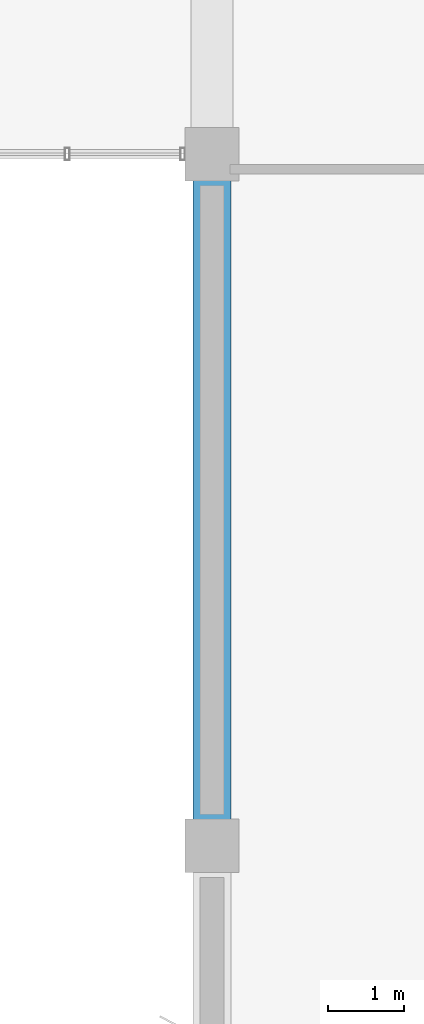
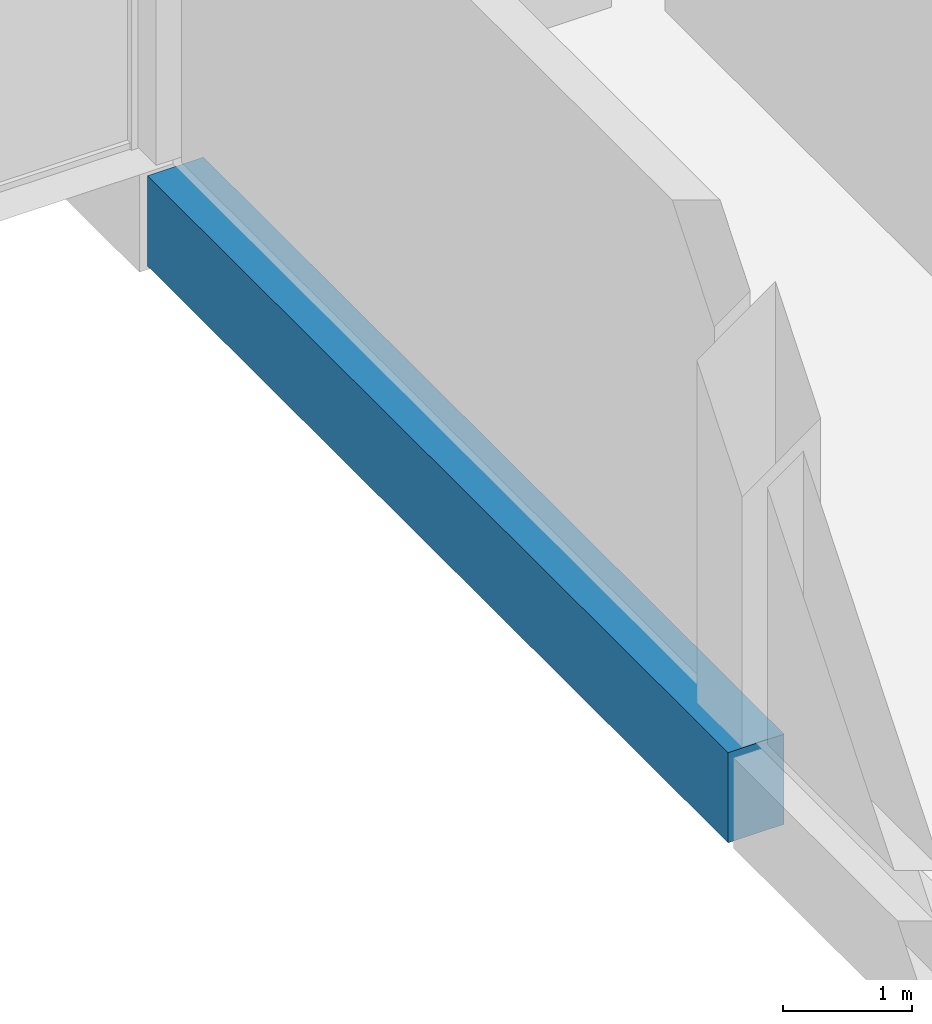
# One storey, part 51 of 91: 1 beam.
"""IFC4 building model written with IfcOpenShell, lengths in metres."""

from ifc_helpers import new_model, si_unit, direction, frame, origin, origin_2d, place, context, subcontext, project, spatial, rectangle, extrude, material, material_profile, profile_set, type_object, element, save


model = new_model("IFC4")

# Units and contexts
model_context = context("Model", 3, precision=1e-05, world=origin(), true_north=direction((0.0, 1.0)))
body_context = subcontext(model_context, "Body", "Model", "MODEL_VIEW")
ifc_project = project(units=[si_unit("LENGTHUNIT", "METRE"), si_unit("AREAUNIT", "SQUARE_METRE"), si_unit("VOLUMEUNIT", "CUBIC_METRE"), si_unit("PLANEANGLEUNIT", "RADIAN"), si_unit("MASSUNIT", "GRAM", prefix="KILO")], contexts=[model_context])

# Site, building, storey
site_placement = place(None, origin())
site = spatial("IfcSite", under=ifc_project, at=site_placement, CompositionType="ELEMENT")
building_placement = place(site_placement, origin())
building = spatial("IfcBuilding", under=site, at=building_placement, Name="Khurvash Pelagic Aquarium", CompositionType="ELEMENT")
storey_placement = place(building_placement, origin())
storey = spatial("IfcBuildingStorey", under=building, at=storey_placement, Name="L00", CompositionType="ELEMENT", Elevation=0.0)

# Beam
ifc_material = material(Name="Concrete C40/50", Category="concrete")
ifc_material_profile = material_profile(ifc_material, rectangle(XDim=0.5, YDim=0.85009765625, at=origin_2d()), Name="RC500X850")
ifc_profile_set = profile_set([ifc_material_profile], Name="Concrete C40/50")
beam_type = type_object("IfcBeamType", Name="SEB-03", PredefinedType="SPANDREL", material=ifc_profile_set)
beam_placement = place(storey_placement, frame((126.0, 65.989990234375, -0.7451171875), z_axis=(0.0, 1.0, 0.0), x_axis=(-1.0, 0.0, 0.0)))
element("IfcBeam", 1, at=beam_placement, inside=storey, type_object=beam_type, Name="L00 Primary Girder SEB-03 00141", PredefinedType="SPANDREL", context=body_context, shape_type="SweptSolid", body=[
    extrude(rectangle(XDim=0.5, YDim=0.85009765625, at=origin_2d()), origin(), (0.0, 0.0, 1.0), 8.969970703125),
])

save(model, "model.ifc")
